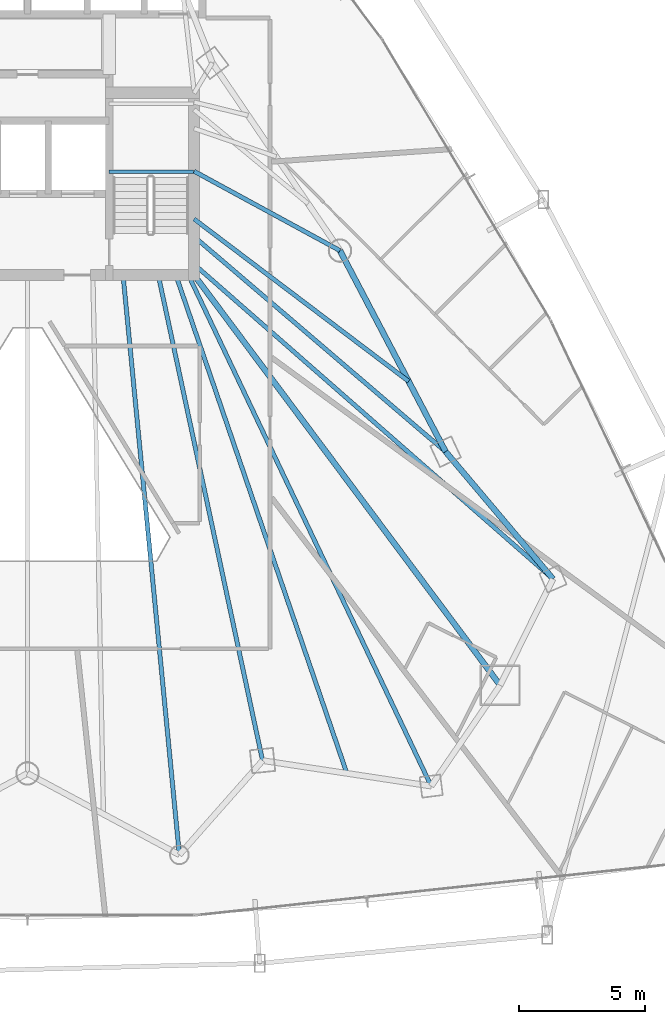
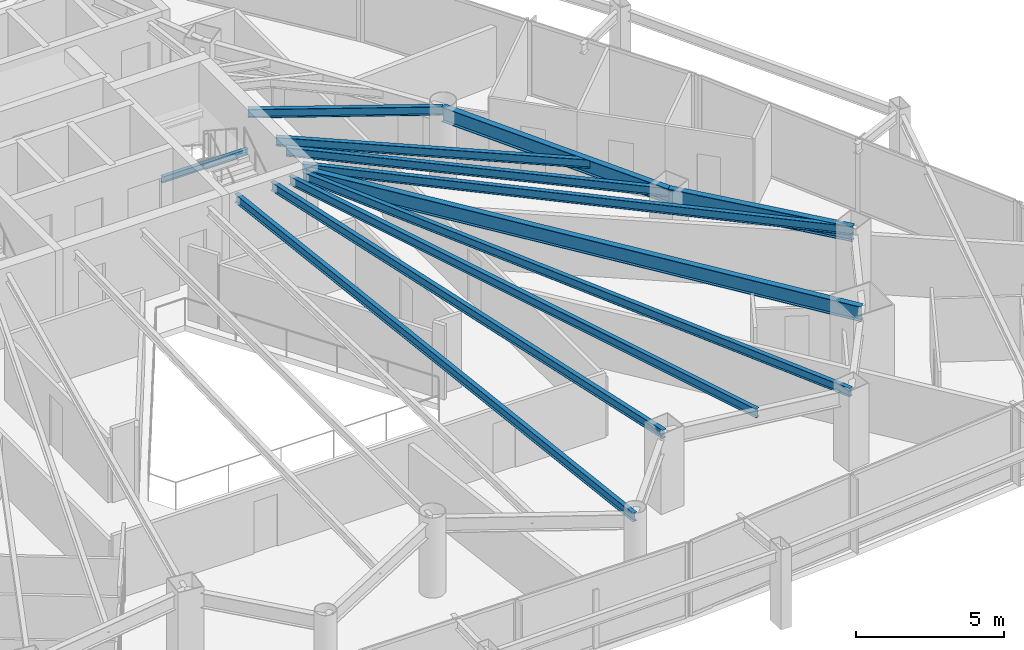
# One storey, part 18 of 35: 12 beams.
"""IFC4 building model written with IfcOpenShell, lengths in metres."""

from ifc_helpers import new_model, si_unit, direction, frame, origin, origin_2d, place, context, subcontext, project, spatial, i_section, extrude, material, material_profile, profile_set, type_object, element, save


model = new_model("IFC4")

# Units and contexts
model_context = context("Model", 3, precision=1e-05, world=origin(), true_north=direction((0.0, 1.0)))
body_context = subcontext(model_context, "Body", "Model", "MODEL_VIEW")
ifc_project = project(units=[si_unit("LENGTHUNIT", "METRE"), si_unit("AREAUNIT", "SQUARE_METRE"), si_unit("VOLUMEUNIT", "CUBIC_METRE"), si_unit("PLANEANGLEUNIT", "RADIAN"), si_unit("MASSUNIT", "GRAM", prefix="KILO")], contexts=[model_context])

# Site, building, storey
site_placement = place(None, origin())
site = spatial("IfcSite", under=ifc_project, at=site_placement, CompositionType="ELEMENT")
building_placement = place(site_placement, origin())
building = spatial("IfcBuilding", under=site, at=building_placement, Name="Orvanel Arch Residences", CompositionType="ELEMENT")
storey_placement = place(building_placement, frame((0.0, 0.0, 26.89990234375)))
storey = spatial("IfcBuildingStorey", under=building, at=storey_placement, Name="L06", CompositionType="ELEMENT", Elevation=26.89990234375)

# Beams
ifc_material = material(Name="Structural steel AS/NZS 3679.1 Grade 300 (300 MPa)", Category="steel")
ifc_material_profile_1 = material_profile(ifc_material, i_section(OverallWidth=0.22900390625, OverallDepth=0.612060546875, WebThickness=0.011962890625, FlangeThickness=0.01953125, at=origin_2d()), Name="610UB125")
ifc_profile_set_1 = profile_set([ifc_material_profile_1], Name="Structural steel AS/NZS 3679.1 Grade 300 (300 MPa)")
beam_type_1 = type_object("IfcBeamType", Name="BG-610UB", PredefinedType="BEAM", material=ifc_profile_set_1)
beam_1_placement = place(storey_placement, frame((39.625, 26.675048828125, 2.754150390625), z_axis=(0.597893733742, -0.801575375839, 0.0), x_axis=(0.801575375839, 0.597893733742, 0.0)))
element("IfcBeam", 1, at=beam_1_placement, inside=storey, type_object=beam_type_1, Name="L06 South-East Radial Girder", PredefinedType="BEAM", context=body_context, shape_type="SweptSolid", body=[
    extrude(i_section(OverallWidth=0.22900390625, OverallDepth=0.612060546875, WebThickness=0.011962890625, FlangeThickness=0.01953125, at=origin_2d()), origin(), (0.0, 0.0, 1.0), 20.36474609375),
])
ifc_material_profile_2 = material_profile(ifc_material, i_section(OverallWidth=0.14599609375, OverallDepth=0.251953125, WebThickness=0.006103515625, FlangeThickness=0.008544921875, at=origin_2d()), Name="250UB31.4")
ifc_profile_set_2 = profile_set([ifc_material_profile_2], Name="Structural steel AS/NZS 3679.1 Grade 300 (300 MPa)")
beam_type_2 = type_object("IfcBeamType", Name="BJ-250UB", PredefinedType="JOIST", material=ifc_profile_set_2)
beam_2_placement = place(storey_placement, frame((36.25, 30.780029296875, 1.32421875), z_axis=(1.0, 0.0, 0.0), x_axis=(0.0, 1.0, 0.0)))
element("IfcBeam", 2, at=beam_2_placement, inside=storey, type_object=beam_type_2, Name="L06 ST-2 Half-Landing Support Beam 1.1", PredefinedType="JOIST", context=body_context, shape_type="SweptSolid", body=[
    extrude(i_section(OverallWidth=0.14599609375, OverallDepth=0.251953125, WebThickness=0.006103515625, FlangeThickness=0.008544921875, at=origin_2d()), origin(), (0.0, 0.0, 1.0), 3.35009765625),
])
ifc_material_profile_3 = material_profile(ifc_material, i_section(OverallWidth=0.1708984375, OverallDepth=0.35595703125, WebThickness=0.00732421875, FlangeThickness=0.011474609375, at=origin_2d()), Name="360UB50.7")
ifc_profile_set_3 = profile_set([ifc_material_profile_3], Name="Structural steel AS/NZS 3679.1 Grade 300 (300 MPa)")
beam_type_3 = type_object("IfcBeamType", Name="BJ-360UB", PredefinedType="JOIST", material=ifc_profile_set_3)
beam_3_placement = place(storey_placement, frame((39.625, 30.800048828125, 2.882080078125), z_axis=(0.878399029914, -0.477927969726, 0.0), x_axis=(0.477927969726, 0.878399029914, 0.0)))
element("IfcBeam", 3, at=beam_3_placement, inside=storey, type_object=beam_type_3, Name="L06 NE Wing Floor Joist", PredefinedType="JOIST", context=body_context, shape_type="SweptSolid", body=[
    extrude(i_section(OverallWidth=0.1708984375, OverallDepth=0.35595703125, WebThickness=0.00732421875, FlangeThickness=0.011474609375, at=origin_2d()), origin(), (0.0, 0.0, 1.0), 6.609619140625),
])
beam_4_placement = place(storey_placement, frame((39.625, 28.199951171875, 2.882080078125), z_axis=(0.760024297953, -0.649894658018, 0.0), x_axis=(0.649894658018, 0.760024297953, 0.0)))
element("IfcBeam", 4, at=beam_4_placement, inside=storey, type_object=beam_type_3, Name="L06 E Wing Floor Joist", PredefinedType="JOIST", context=body_context, shape_type="SweptSolid", body=[
    extrude(i_section(OverallWidth=0.1708984375, OverallDepth=0.35595703125, WebThickness=0.00732421875, FlangeThickness=0.011474609375, at=origin_2d()), origin(), (0.0, 0.0, 1.0), 13.16796875),
])
beam_5_placement = place(storey_placement, frame((38.199951171875, 26.675048828125, 2.882080078125), z_axis=(0.210066515515, -0.977687096703, 0.0), x_axis=(0.977687096703, 0.210066515515, 0.0)))
element("IfcBeam", 5, at=beam_5_placement, inside=storey, type_object=beam_type_3, Name="L06 SE Wing Floor Joist", PredefinedType="JOIST", context=body_context, shape_type="SweptSolid", body=[
    extrude(i_section(OverallWidth=0.1708984375, OverallDepth=0.35595703125, WebThickness=0.00732421875, FlangeThickness=0.011474609375, at=origin_2d()), origin(), (0.0, 0.0, 1.0), 19.760986328125),
])
beam_6_placement = place(storey_placement, frame((39.625, 27.10009765625, 2.882080078125), z_axis=(0.751924114057, -0.659249669472, 0.0), x_axis=(0.659249669472, 0.751924114057, 0.0)))
element("IfcBeam", 6, at=beam_6_placement, inside=storey, type_object=beam_type_3, Name="L06 ME Wing Floor Joist", PredefinedType="JOIST", context=body_context, shape_type="SweptSolid", body=[
    extrude(i_section(OverallWidth=0.1708984375, OverallDepth=0.35595703125, WebThickness=0.00732421875, FlangeThickness=0.011474609375, at=origin_2d()), origin(), (0.0, 0.0, 1.0), 18.9912109375),
])
beam_7_placement = place(storey_placement, frame((39.39990234375, 26.675048828125, 2.882080078125), z_axis=(0.429042657795, -0.903284228686, 0.0), x_axis=(0.903284228686, 0.429042657795, 0.0)))
element("IfcBeam", 7, at=beam_7_placement, inside=storey, type_object=beam_type_3, Name="L06 MSE Wing Floor Joist", PredefinedType="JOIST", context=body_context, shape_type="SweptSolid", body=[
    extrude(i_section(OverallWidth=0.1708984375, OverallDepth=0.35595703125, WebThickness=0.00732421875, FlangeThickness=0.011474609375, at=origin_2d()), origin(), (0.0, 0.0, 1.0), 22.513427734375),
])
beam_8_placement = place(storey_placement, frame((36.800048828125, 26.675048828125, 2.882080078125), z_axis=(0.096724091756, -0.995311232768, 0.0), x_axis=(0.995311232768, 0.096724091756, 0.0)))
element("IfcBeam", 8, at=beam_8_placement, inside=storey, type_object=beam_type_3, Name="L06 LSE Wing Floor Joist", PredefinedType="JOIST", context=body_context, shape_type="SweptSolid", body=[
    extrude(i_section(OverallWidth=0.1708984375, OverallDepth=0.35595703125, WebThickness=0.00732421875, FlangeThickness=0.011474609375, at=origin_2d()), origin(), (0.0, 0.0, 1.0), 23.1787109375),
])
beam_9_placement = place(storey_placement, frame((39.625, 28.89990234375, 2.882080078125), z_axis=(0.797519083104, -0.60329371958, 0.0), x_axis=(0.60329371958, 0.797519083104, 0.0)))
element("IfcBeam", 9, at=beam_9_placement, inside=storey, type_object=beam_type_3, Name="L06 CTE Wing Floor Joist", PredefinedType="JOIST", context=body_context, shape_type="SweptSolid", body=[
    extrude(i_section(OverallWidth=0.1708984375, OverallDepth=0.35595703125, WebThickness=0.00732421875, FlangeThickness=0.011474609375, at=origin_2d()), origin(), (0.0, 0.0, 1.0), 10.70458984375),
])
beam_10_placement = place(storey_placement, frame((38.89990234375, 26.675048828125, 2.882080078125), z_axis=(0.324621456495, -0.945844019901, 0.0), x_axis=(0.945844019901, 0.324621456495, 0.0)))
element("IfcBeam", 10, at=beam_10_placement, inside=storey, type_object=beam_type_3, Name="L06 JADD2 Wing Floor Joist", PredefinedType="JOIST", context=body_context, shape_type="SweptSolid", body=[
    extrude(i_section(OverallWidth=0.1708984375, OverallDepth=0.35595703125, WebThickness=0.00732421875, FlangeThickness=0.011474609375, at=origin_2d()), origin(), (0.0, 0.0, 1.0), 20.96337890625),
])
ifc_material_profile_4 = material_profile(ifc_material, i_section(OverallWidth=0.22900390625, OverallDepth=0.612060546875, WebThickness=0.011962890625, FlangeThickness=0.01953125, at=origin_2d()), Name="610UB125")
ifc_profile_set_4 = profile_set([ifc_material_profile_4], Name="Structural steel AS/NZS 3679.1 Grade 300 (300 MPa)")
beam_type_4 = type_object("IfcBeamType", Name="SP-610UB", PredefinedType="SPANDREL", material=ifc_profile_set_4)
beam_11_placement = place(storey_placement, frame((53.905029296875, 14.580078125, 2.754150390625), z_axis=(-0.644950329775, 0.764224490659, 0.0), x_axis=(-0.764224490659, -0.644950329775, 0.0)))
element("IfcBeam", 11, at=beam_11_placement, inside=storey, type_object=beam_type_4, Name="L06 Perimeter Spandrel Beam 12", PredefinedType="SPANDREL", context=body_context, shape_type="SweptSolid", body=[
    extrude(i_section(OverallWidth=0.22900390625, OverallDepth=0.612060546875, WebThickness=0.011962890625, FlangeThickness=0.01953125, at=origin_2d()), origin(), (0.0, 0.0, 1.0), 6.623779296875),
])
beam_12_placement = place(storey_placement, frame((49.633056640625, 19.64208984375, 2.754150390625), z_axis=(-0.465064762793, 0.885276660942, 0.0), x_axis=(-0.885276660942, -0.465064762793, 0.0)))
element("IfcBeam", 12, at=beam_12_placement, inside=storey, type_object=beam_type_4, Name="L06 Perimeter Spandrel Beam 13", PredefinedType="SPANDREL", context=body_context, shape_type="SweptSolid", body=[
    extrude(i_section(OverallWidth=0.22900390625, OverallDepth=0.612060546875, WebThickness=0.011962890625, FlangeThickness=0.01953125, at=origin_2d()), origin(), (0.0, 0.0, 1.0), 9.03564453125),
])

save(model, "model.ifc")
